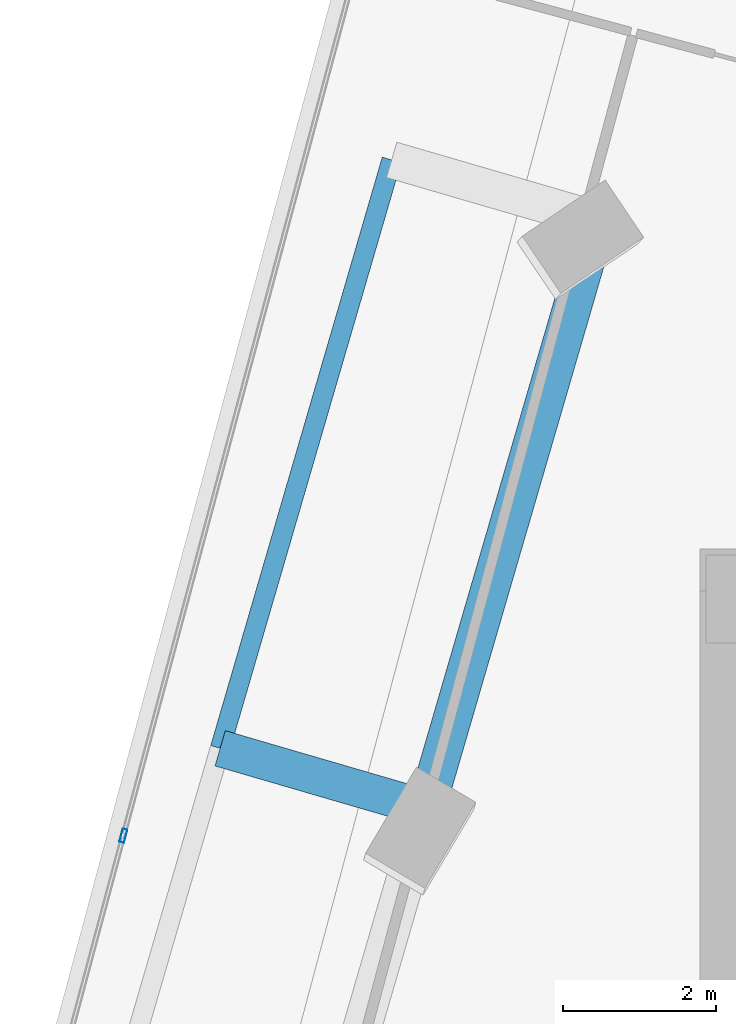
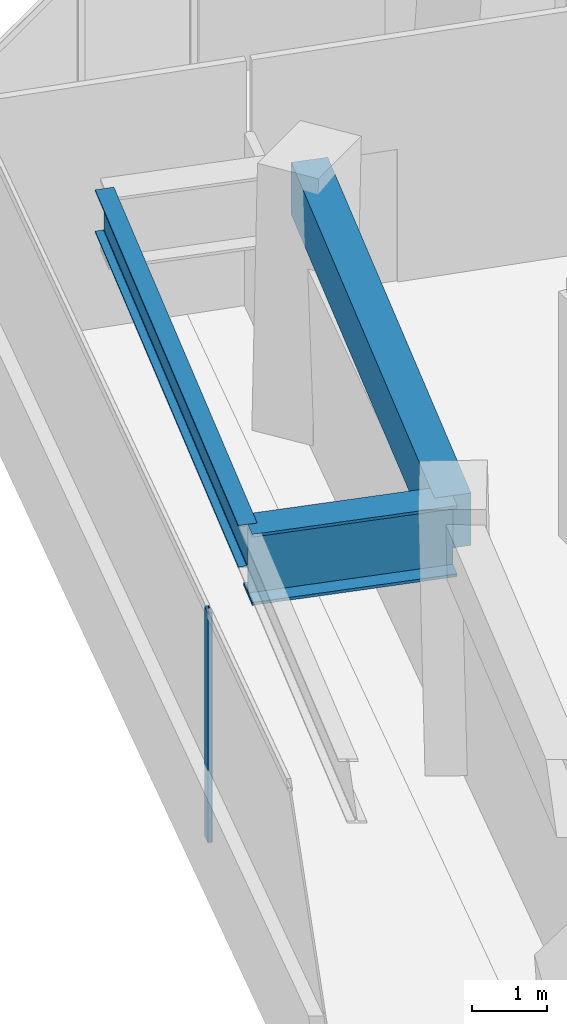
# One storey, part 6 of 26: 3 beams, 1 member, 1 element without a shape of its own.
"""IFC4 building model written with IfcOpenShell, lengths in metres."""

from ifc_helpers import new_model, si_unit, direction, frame, origin, origin_2d, place, context, subcontext, project, spatial, rectangle, hollow_rectangle, i_section, extrude, source, transform, mapped, material, material_profile, profile_set, type_object, element, aggregate, save


model = new_model("IFC4")

# Units and contexts
model_context = context("Model", 3, precision=1e-05, world=origin(), true_north=direction((0.0, 1.0)))
body_context = subcontext(model_context, "Body", "Model", "MODEL_VIEW")
ifc_project = project(units=[si_unit("LENGTHUNIT", "METRE"), si_unit("AREAUNIT", "SQUARE_METRE"), si_unit("VOLUMEUNIT", "CUBIC_METRE"), si_unit("PLANEANGLEUNIT", "RADIAN"), si_unit("MASSUNIT", "GRAM", prefix="KILO")], contexts=[model_context])

# Site, building, storey
site_placement = place(None, origin())
site = spatial("IfcSite", under=ifc_project, at=site_placement, CompositionType="ELEMENT")
building_placement = place(site_placement, origin())
building = spatial("IfcBuilding", under=site, at=building_placement, Name="Torre Montelarca", CompositionType="ELEMENT")
storey_placement = place(building_placement, frame((0.0, 0.0, 104.199951171875)))
storey = spatial("IfcBuildingStorey", under=building, at=storey_placement, Name="L23", CompositionType="ELEMENT", Elevation=104.199951171875)

# Beams
ifc_material_1 = material(Name="Concrete C55/67", Category="concrete")
ifc_material_profile_1 = material_profile(ifc_material_1, rectangle(XDim=0.5, YDim=0.85009765625, at=origin_2d()), Name="RCB500X850", Category="concrete")
ifc_profile_set_1 = profile_set([ifc_material_profile_1], Name="Concrete C55/67")
beam_type_1 = type_object("IfcBeamType", Name="BM-SP-RC850-EXT", PredefinedType="SPANDREL", material=ifc_profile_set_1)
shared_shape_1 = source(origin(), body_context, "Body", "SweptSolid", [
    extrude(rectangle(XDim=0.5, YDim=0.85009765625, at=origin_2d()), origin(), (0.0, 0.0, 1.0), 8.0),
])
beam_1_placement = place(storey_placement, frame((5.3232421875, 36.715087890625, 3.53515625), z_axis=(0.279816010262, 0.960053644544, 0.0), x_axis=(-0.960053644544, 0.279816010262, 0.0)))
element("IfcBeam", 1, at=beam_1_placement, inside=storey, type_object=beam_type_1, Name="L23 Grid Girder Y 32.0-40.0 at X=4.7", PredefinedType="SPANDREL", context=body_context, shape_type="MappedRepresentation", body=[
    mapped(shared_shape_1, transform((0.0, 0.0, 0.0), scale=1.0)),
])
ifc_material_2 = material(Name="Steel ASTM A992 Grade 50", Category="steel")
ifc_material_profile_2 = material_profile(ifc_material_2, i_section(OverallWidth=0.256103515625, OverallDepth=0.693115234375, WebThickness=0.014404296875, FlangeThickness=0.023681640625, FilletRadius=0.01806640625, at=origin_2d()), Name="W690X170", Category="steel")
ifc_profile_set_2 = profile_set([ifc_material_profile_2], Name="Steel ASTM A992 Grade 50")
beam_type_2 = type_object("IfcBeamType", Name="BM-G-W690-EXT", PredefinedType="BEAM", material=ifc_profile_set_2)
shared_shape_2 = source(origin(), body_context, "Body", "SweptSolid", [
    extrude(i_section(OverallWidth=0.256103515625, OverallDepth=0.693115234375, WebThickness=0.014404296875, FlangeThickness=0.023681640625, FilletRadius=0.01806640625, at=origin_2d()), origin(), (0.0, 0.0, 1.0), 8.0),
])
beam_2_placement = place(storey_placement, frame((2.635009765625, 37.49853515625, 3.614013671875), z_axis=(0.279844138078, 0.960045445999, 0.0), x_axis=(-0.960045445999, 0.279844138078, 0.0)))
element("IfcBeam", 2, at=beam_2_placement, inside=storey, type_object=beam_type_2, Name="L23 Sliding Tray Edge Girder West 32.0-40.0m (FLR)", PredefinedType="BEAM", context=body_context, shape_type="MappedRepresentation", body=[
    mapped(shared_shape_2, transform((0.0, 0.0, 0.0), scale=1.0)),
])
ifc_material_3 = material(Name="Steel ASTM A572 Grade 50", Category="steel")
ifc_material_profile_3 = material_profile(ifc_material_3, i_section(OverallWidth=0.47998046875, OverallDepth=1.14990234375, WebThickness=0.02197265625, FlangeThickness=0.044921875, at=origin_2d()), Name="PG1150X480X22X45", Category="steel")
ifc_profile_set_3 = profile_set([ifc_material_profile_3], Name="Steel ASTM A572 Grade 50")
beam_type_3 = type_object("IfcBeamType", Name="BM-CG-PG1400-EXT", PredefinedType="USERDEFINED", material=ifc_profile_set_3)
shared_shape_3 = source(origin(), body_context, "Body", "SweptSolid", [
    extrude(i_section(OverallWidth=0.47998046875, OverallDepth=1.14990234375, WebThickness=0.02197265625, FlangeThickness=0.044921875, at=origin_2d()), origin(), (0.0, 0.0, 1.0), 2.800048828125),
])
beam_3_placement = place(storey_placement, frame((5.3232421875, 36.715087890625, 3.385009765625), z_axis=(-0.960059547132, 0.279795757583, 0.0), x_axis=(-0.279795757583, -0.960059547132, 0.0)))
element("IfcBeam", 3, at=beam_3_placement, inside=storey, type_object=beam_type_3, Name="L23 Sliding Tray Cantilever Girder West Y=32.0m (FLR)", ObjectType="CANTILEVER GIRDER", PredefinedType="USERDEFINED", context=body_context, shape_type="MappedRepresentation", body=[
    mapped(shared_shape_3, transform((0.0, 0.0, 0.0), scale=1.0)),
])

# Curtain wall, member
ifc_material_4 = material(Name="Insulated low-E laminated glass", Category="glass")
curtain_wall_type = type_object("IfcCurtainWallType", Name="CW-SYS-Z1", PredefinedType="USERDEFINED", material=ifc_material_4)
curtain_wall_placement = place(storey_placement, origin())
curtain_wall = element("IfcCurtainWall", 4, at=curtain_wall_placement, inside=storey, type_object=curtain_wall_type, Name="L23 Curtain Wall Run CW-T3-L23-E10-B1", ObjectType="UNITISED GLAZING", PredefinedType="USERDEFINED")
ifc_material_5 = material(Name="Anodised aluminium AA 6063-T6", Category="aluminium")
ifc_material_profile_4 = material_profile(ifc_material_5, hollow_rectangle(XDim=0.06494140625, YDim=0.179931640625, WallThickness=0.00390625, InnerFilletRadius=0.00390625, OuterFilletRadius=0.008056640625, at=origin_2d()), Name="ALU65X180X4", Category="aluminium")
ifc_profile_set_4 = profile_set([ifc_material_profile_4], Name="Anodised aluminium AA 6063-T6")
member_type = type_object("IfcMemberType", Name="CWM-ALU180", PredefinedType="MULLION", material=ifc_profile_set_4)
shared_shape_4 = source(origin(), body_context, "Body", "SweptSolid", [
    extrude(hollow_rectangle(XDim=0.06494140625, YDim=0.179931640625, WallThickness=0.00390625, InnerFilletRadius=0.00390625, OuterFilletRadius=0.008056640625, at=origin_2d()), origin(), (0.0, 0.0, 1.0), 3.719970703125),
])
member_placement = place(storey_placement, frame((1.3720703125, 36.35791015625, 0.0), z_axis=(0.0, 0.0, 1.0), x_axis=(0.965926043153, -0.258818235755, 0.0)))
member = element("IfcMember", 5, at=member_placement, type_object=member_type, Name="CW mullion 2", PredefinedType="MULLION", context=body_context, shape_type="MappedRepresentation", body=[
    mapped(shared_shape_4, transform((0.0, 0.0, 0.0), scale=1.0)),
])
aggregate(curtain_wall, [member])

save(model, "model.ifc")
